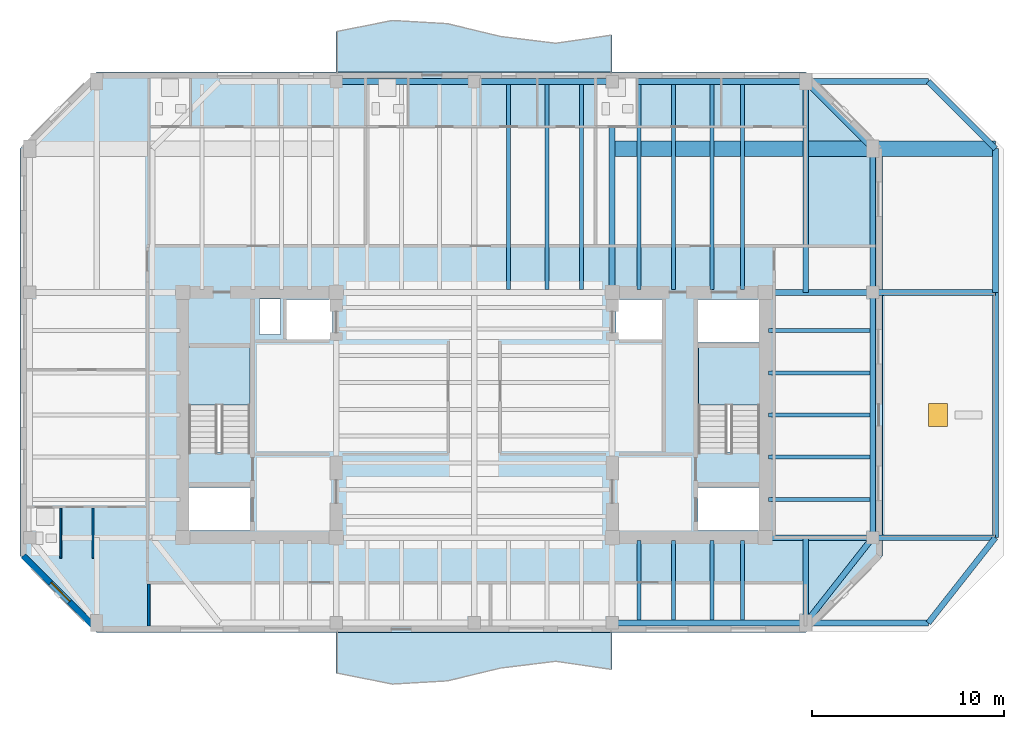
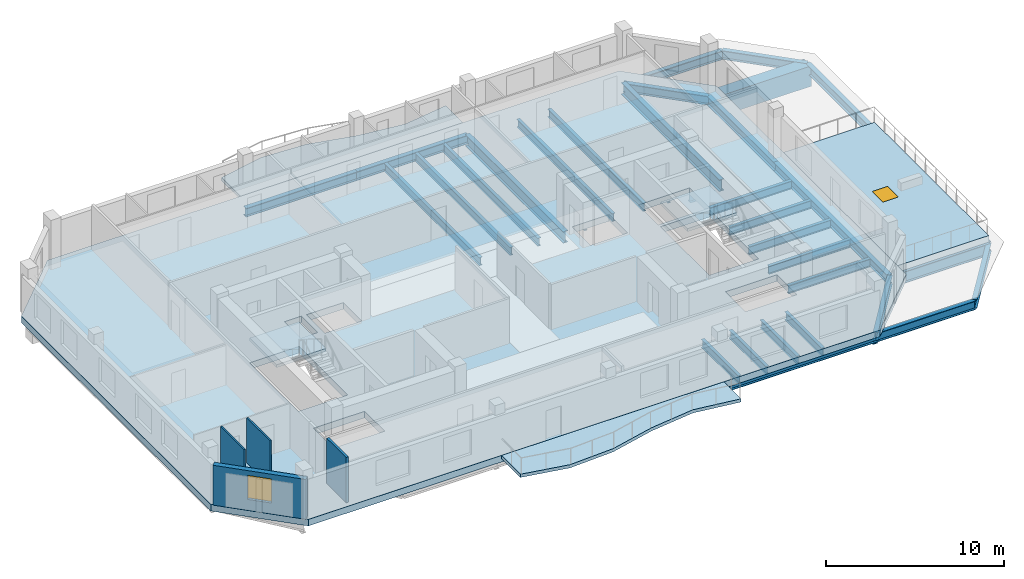
# One storey, part 2 of 10: 34 beams, 6 slabs, 4 walls, 1 door, 1 window, 2 openings, 2 elements without a shape of their own.
"""IFC4 building model written with IfcOpenShell, lengths in metres."""

from ifc_helpers import new_model, si_unit, direction, frame, frame_2d, origin, origin_2d, place, context, subcontext, project, spatial, polyline, rectangle, i_section, outline, extrude, material, layer, layer_set, material_profile, profile_set, type_object, element, fill, aggregate, save


model = new_model("IFC4")

# Units and contexts
model_context = context("Model", 3, precision=1e-05, world=origin(), true_north=direction((0.0, 1.0)))
body_context = subcontext(model_context, "Body", "Model", "MODEL_VIEW")
ifc_project = project(units=[si_unit("LENGTHUNIT", "METRE"), si_unit("AREAUNIT", "SQUARE_METRE"), si_unit("VOLUMEUNIT", "CUBIC_METRE"), si_unit("PLANEANGLEUNIT", "RADIAN"), si_unit("MASSUNIT", "GRAM", prefix="KILO")], contexts=[model_context])

# Site, building, storey
site_placement = place(None, origin())
site = spatial("IfcSite", under=ifc_project, at=site_placement, CompositionType="ELEMENT")
building_placement = place(site_placement, origin())
building = spatial("IfcBuilding", under=site, at=building_placement, Name="Kranthara Brick Stack", CompositionType="ELEMENT")
storey_placement = place(building_placement, frame((0.0, 0.0, 268.699951171875)))
storey = spatial("IfcBuildingStorey", under=building, at=storey_placement, Name="L71", CompositionType="ELEMENT", Elevation=268.699951171875)

# Beams
ifc_material_1 = material(Name="Steel S355", Category="steel")
ifc_material_profile_1 = material_profile(ifc_material_1, i_section(OverallWidth=0.2099609375, OverallDepth=0.550048828125, WebThickness=0.010986328125, FlangeThickness=0.01708984375, at=origin_2d()), Name="IPE 550")
ifc_profile_set_1 = profile_set([ifc_material_profile_1], Name="Steel S355")
beam_type_1 = type_object("IfcBeamType", Name="BM-JST-IPE550", PredefinedType="JOIST", material=ifc_profile_set_1)
for number, where, z_axis, x_axis, name in (
    (1, (29.800048828125, 33.75, -0.724853515625), (0.0, 1.0, 0.0), (-1.0, 0.0, 0.0), "L71 North Wing Floor Joist 080"),
    (2, (31.800048828125, 33.75, -0.724853515625), (0.0, 1.0, 0.0), (-1.0, 0.0, 0.0), "L71 North Wing Floor Joist 082"),
    (3, (33.60009765625, 33.75, -0.724853515625), (0.0, 1.0, 0.0), (-1.0, 0.0, 0.0), "L71 North Wing Floor Joist 084"),
):
    element("IfcBeam", number, at=place(storey_placement, frame(where, z_axis=z_axis, x_axis=x_axis)), inside=storey, type_object=beam_type_1, Name=name, PredefinedType="JOIST", context=body_context, shape_type="SweptSolid", body=[
        extrude(i_section(OverallWidth=0.2099609375, OverallDepth=0.550048828125, WebThickness=0.010986328125, FlangeThickness=0.01708984375, at=origin_2d()), origin(), (0.0, 0.0, 1.0), 10.699951171875),
    ])
beam_1_placement = place(storey_placement, frame((36.60009765625, 16.5, -0.724853515625), z_axis=(0.0, 1.0, 0.0), x_axis=(-1.0, 0.0, 0.0)))
element("IfcBeam", 4, at=beam_1_placement, inside=storey, type_object=beam_type_1, Name="L71 South Wing Floor Joist 085", PredefinedType="JOIST", context=body_context, shape_type="SweptSolid", body=[
    extrude(i_section(OverallWidth=0.2099609375, OverallDepth=0.550048828125, WebThickness=0.010986328125, FlangeThickness=0.01708984375, at=origin_2d()), origin(), (0.0, 0.0, 1.0), 4.14990234375),
])
beam_2_placement = place(storey_placement, frame((36.60009765625, 33.75, -0.724853515625), z_axis=(0.0, 1.0, 0.0), x_axis=(-1.0, 0.0, 0.0)))
element("IfcBeam", 5, at=beam_2_placement, inside=storey, type_object=beam_type_1, Name="L71 North Wing Floor Joist 086", PredefinedType="JOIST", context=body_context, shape_type="SweptSolid", body=[
    extrude(i_section(OverallWidth=0.2099609375, OverallDepth=0.550048828125, WebThickness=0.010986328125, FlangeThickness=0.01708984375, at=origin_2d()), origin(), (0.0, 0.0, 1.0), 10.699951171875),
])
beam_3_placement = place(storey_placement, frame((38.39990234375, 16.5, -0.724853515625), z_axis=(0.0, 1.0, 0.0), x_axis=(-1.0, 0.0, 0.0)))
element("IfcBeam", 6, at=beam_3_placement, inside=storey, type_object=beam_type_1, Name="L71 South Wing Floor Joist 087", PredefinedType="JOIST", context=body_context, shape_type="SweptSolid", body=[
    extrude(i_section(OverallWidth=0.2099609375, OverallDepth=0.550048828125, WebThickness=0.010986328125, FlangeThickness=0.01708984375, at=origin_2d()), origin(), (0.0, 0.0, 1.0), 4.14990234375),
])
beam_4_placement = place(storey_placement, frame((38.39990234375, 33.75, -0.724853515625), z_axis=(0.0, 1.0, 0.0), x_axis=(-1.0, 0.0, 0.0)))
element("IfcBeam", 7, at=beam_4_placement, inside=storey, type_object=beam_type_1, Name="L71 North Wing Floor Joist 088", PredefinedType="JOIST", context=body_context, shape_type="SweptSolid", body=[
    extrude(i_section(OverallWidth=0.2099609375, OverallDepth=0.550048828125, WebThickness=0.010986328125, FlangeThickness=0.01708984375, at=origin_2d()), origin(), (0.0, 0.0, 1.0), 10.699951171875),
])
beam_5_placement = place(storey_placement, frame((40.39990234375, 16.5, -0.724853515625), z_axis=(0.0, 1.0, 0.0), x_axis=(-1.0, 0.0, 0.0)))
element("IfcBeam", 8, at=beam_5_placement, inside=storey, type_object=beam_type_1, Name="L71 South Wing Floor Joist 089", PredefinedType="JOIST", context=body_context, shape_type="SweptSolid", body=[
    extrude(i_section(OverallWidth=0.2099609375, OverallDepth=0.550048828125, WebThickness=0.010986328125, FlangeThickness=0.01708984375, at=origin_2d()), origin(), (0.0, 0.0, 1.0), 4.14990234375),
])
beam_6_placement = place(storey_placement, frame((40.39990234375, 33.75, -0.724853515625), z_axis=(0.0, 1.0, 0.0), x_axis=(-1.0, 0.0, 0.0)))
element("IfcBeam", 9, at=beam_6_placement, inside=storey, type_object=beam_type_1, Name="L71 North Wing Floor Joist 090", PredefinedType="JOIST", context=body_context, shape_type="SweptSolid", body=[
    extrude(i_section(OverallWidth=0.2099609375, OverallDepth=0.550048828125, WebThickness=0.010986328125, FlangeThickness=0.01708984375, at=origin_2d()), origin(), (0.0, 0.0, 1.0), 10.699951171875),
])
beam_7_placement = place(storey_placement, frame((42.0, 16.5, -0.724853515625), z_axis=(0.0, 1.0, 0.0), x_axis=(-1.0, 0.0, 0.0)))
element("IfcBeam", 10, at=beam_7_placement, inside=storey, type_object=beam_type_1, Name="L71 South Wing Floor Joist 091", PredefinedType="JOIST", context=body_context, shape_type="SweptSolid", body=[
    extrude(i_section(OverallWidth=0.2099609375, OverallDepth=0.550048828125, WebThickness=0.010986328125, FlangeThickness=0.01708984375, at=origin_2d()), origin(), (0.0, 0.0, 1.0), 4.14990234375),
])
beam_8_placement = place(storey_placement, frame((42.0, 33.75, -0.724853515625), z_axis=(0.0, 1.0, 0.0), x_axis=(-1.0, 0.0, 0.0)))
element("IfcBeam", 11, at=beam_8_placement, inside=storey, type_object=beam_type_1, Name="L71 North Wing Floor Joist 092", PredefinedType="JOIST", context=body_context, shape_type="SweptSolid", body=[
    extrude(i_section(OverallWidth=0.2099609375, OverallDepth=0.550048828125, WebThickness=0.010986328125, FlangeThickness=0.01708984375, at=origin_2d()), origin(), (0.0, 0.0, 1.0), 10.699951171875),
])
for number, where, z_axis, x_axis, name in (
    (12, (43.35009765625, 22.800048828125, -0.724853515625), (1.0, 0.0, 0.0), (0.0, 1.0, 0.0), "L71 East Wing Floor Joist 094"),
    (13, (43.35009765625, 25.0, -0.724853515625), (1.0, 0.0, 0.0), (0.0, 1.0, 0.0), "L71 East Wing Floor Joist 096"),
    (14, (43.35009765625, 27.199951171875, -0.724853515625), (1.0, 0.0, 0.0), (0.0, 1.0, 0.0), "L71 East Wing Floor Joist 098"),
    (15, (43.35009765625, 29.39990234375, -0.724853515625), (1.0, 0.0, 0.0), (0.0, 1.0, 0.0), "L71 East Wing Floor Joist 100"),
    (16, (43.35009765625, 31.60009765625, -0.724853515625), (1.0, 0.0, 0.0), (0.0, 1.0, 0.0), "L71 East Wing Floor Joist 102"),
):
    element("IfcBeam", number, at=place(storey_placement, frame(where, z_axis=z_axis, x_axis=x_axis)), inside=storey, type_object=beam_type_1, Name=name, PredefinedType="JOIST", context=body_context, shape_type="SweptSolid", body=[
        extrude(i_section(OverallWidth=0.2099609375, OverallDepth=0.550048828125, WebThickness=0.010986328125, FlangeThickness=0.01708984375, at=origin_2d()), origin(), (0.0, 0.0, 1.0), 5.2998046875),
    ])
ifc_material_2 = material(Name="Steel S355", Category="steel")
ifc_material_profile_2 = material_profile(ifc_material_2, i_section(OverallWidth=0.300048828125, OverallDepth=0.60009765625, WebThickness=0.015380859375, FlangeThickness=0.030029296875, at=origin_2d()), Name="HEB 600")
ifc_profile_set_2 = profile_set([ifc_material_profile_2], Name="Steel S355")
beam_type_2 = type_object("IfcBeamType", Name="BM-STL-HEB600", PredefinedType="BEAM", material=ifc_profile_set_2)
beam_9_placement = place(storey_placement, frame((35.199951171875, 16.35009765625, -0.75), z_axis=(1.0, 0.0, 0.0), x_axis=(0.0, 1.0, 0.0)))
element("IfcBeam", 17, at=beam_9_placement, inside=storey, type_object=beam_type_2, Name="L71 Perimeter Spandrel Beam 008", PredefinedType="BEAM", context=body_context, shape_type="SweptSolid", body=[
    extrude(i_section(OverallWidth=0.300048828125, OverallDepth=0.60009765625, WebThickness=0.015380859375, FlangeThickness=0.030029296875, at=origin_2d()), origin(), (0.0, 0.0, 1.0), 16.5),
])
for number, where, z_axis, x_axis, name in (
    (18, (20.800048828125, 44.60009765625, -0.75), (1.0, 0.0, 0.0), (0.0, 1.0, 0.0), "L71 Perimeter Spandrel Beam 010"),
    (19, (28.0, 44.60009765625, -0.75), (1.0, 0.0, 0.0), (0.0, 1.0, 0.0), "L71 Perimeter Spandrel Beam 011"),
):
    element("IfcBeam", number, at=place(storey_placement, frame(where, z_axis=z_axis, x_axis=x_axis)), inside=storey, type_object=beam_type_2, Name=name, PredefinedType="BEAM", context=body_context, shape_type="SweptSolid", body=[
        extrude(i_section(OverallWidth=0.300048828125, OverallDepth=0.60009765625, WebThickness=0.015380859375, FlangeThickness=0.030029296875, at=origin_2d()), origin(), (0.0, 0.0, 1.0), 7.199951171875),
    ])
beam_10_placement = place(storey_placement, frame((35.199951171875, 44.60009765625, -0.75), z_axis=(1.0, 0.0, 0.0), x_axis=(0.0, 1.0, 0.0)))
element("IfcBeam", 20, at=beam_10_placement, inside=storey, type_object=beam_type_2, Name="L71 Perimeter Spandrel Beam 012", PredefinedType="BEAM", context=body_context, shape_type="SweptSolid", body=[
    extrude(i_section(OverallWidth=0.300048828125, OverallDepth=0.60009765625, WebThickness=0.015380859375, FlangeThickness=0.030029296875, at=origin_2d()), origin(), (0.0, 0.0, 1.0), 16.5),
])
beam_11_placement = place(storey_placement, frame((55.199951171875, 20.800048828125, -0.75), z_axis=(0.0, 1.0, 0.0), x_axis=(-1.0, 0.0, 0.0)))
element("IfcBeam", 21, at=beam_11_placement, inside=storey, type_object=beam_type_2, Name="L71 Perimeter Spandrel Beam 015", PredefinedType="BEAM", context=body_context, shape_type="SweptSolid", body=[
    extrude(i_section(OverallWidth=0.300048828125, OverallDepth=0.60009765625, WebThickness=0.015380859375, FlangeThickness=0.030029296875, at=origin_2d()), origin(), (0.0, 0.0, 1.0), 12.800048828125),
])
beam_12_placement = place(storey_placement, frame((55.199951171875, 33.60009765625, -0.75), z_axis=(0.0, 1.0, 0.0), x_axis=(-1.0, 0.0, 0.0)))
element("IfcBeam", 22, at=beam_12_placement, inside=storey, type_object=beam_type_2, Name="L71 Perimeter Spandrel Beam 016", PredefinedType="BEAM", context=body_context, shape_type="SweptSolid", body=[
    extrude(i_section(OverallWidth=0.300048828125, OverallDepth=0.60009765625, WebThickness=0.015380859375, FlangeThickness=0.030029296875, at=origin_2d()), origin(), (0.0, 0.0, 1.0), 7.5),
])
beam_13_placement = place(storey_placement, frame((51.699951171875, 16.35009765625, -0.75), z_axis=(0.618215705636, 0.78600848679, 0.0), x_axis=(-0.78600848679, 0.618215705636, 0.0)))
element("IfcBeam", 23, at=beam_13_placement, inside=storey, type_object=beam_type_2, Name="L71 Chamfer Corner Spandrel 018", PredefinedType="BEAM", context=body_context, shape_type="SweptSolid", body=[
    extrude(i_section(OverallWidth=0.300048828125, OverallDepth=0.60009765625, WebThickness=0.015380859375, FlangeThickness=0.030029296875, at=origin_2d()), origin(), (0.0, 0.0, 1.0), 5.661376953125),
])
beam_14_placement = place(storey_placement, frame((51.699951171875, 44.60009765625, -0.75), z_axis=(0.707106781187, -0.707106781187, 0.0), x_axis=(0.707106781187, 0.707106781187, 0.0)))
element("IfcBeam", 24, at=beam_14_placement, inside=storey, type_object=beam_type_2, Name="L71 Chamfer Corner Spandrel 020", PredefinedType="BEAM", context=body_context, shape_type="SweptSolid", body=[
    extrude(i_section(OverallWidth=0.300048828125, OverallDepth=0.60009765625, WebThickness=0.015380859375, FlangeThickness=0.030029296875, at=origin_2d()), origin(), (0.0, 0.0, 1.0), 4.94970703125),
])
beam_15_placement = place(storey_placement, frame((48.800048828125, 20.800048828125, -0.75), z_axis=(0.0, 1.0, 0.0), x_axis=(-1.0, 0.0, 0.0)))
element("IfcBeam", 25, at=beam_15_placement, inside=storey, type_object=beam_type_2, Name="L71 Perimeter Spandrel Beam 023", PredefinedType="BEAM", context=body_context, shape_type="SweptSolid", body=[
    extrude(i_section(OverallWidth=0.300048828125, OverallDepth=0.60009765625, WebThickness=0.015380859375, FlangeThickness=0.030029296875, at=origin_2d()), origin(), (0.0, 0.0, 1.0), 12.800048828125),
])
beam_16_placement = place(storey_placement, frame((48.800048828125, 33.60009765625, -0.75), z_axis=(0.0, 1.0, 0.0), x_axis=(-1.0, 0.0, 0.0)))
element("IfcBeam", 26, at=beam_16_placement, inside=storey, type_object=beam_type_2, Name="L71 Perimeter Spandrel Beam 024", PredefinedType="BEAM", context=body_context, shape_type="SweptSolid", body=[
    extrude(i_section(OverallWidth=0.300048828125, OverallDepth=0.60009765625, WebThickness=0.015380859375, FlangeThickness=0.030029296875, at=origin_2d()), origin(), (0.0, 0.0, 1.0), 7.5),
])
beam_17_placement = place(storey_placement, frame((45.300048828125, 16.35009765625, -0.75), z_axis=(0.618215705636, 0.78600848679, 0.0), x_axis=(-0.78600848679, 0.618215705636, 0.0)))
element("IfcBeam", 27, at=beam_17_placement, inside=storey, type_object=beam_type_2, Name="L71 Chamfer Corner Spandrel 026", PredefinedType="BEAM", context=body_context, shape_type="SweptSolid", body=[
    extrude(i_section(OverallWidth=0.300048828125, OverallDepth=0.60009765625, WebThickness=0.015380859375, FlangeThickness=0.030029296875, at=origin_2d()), origin(), (0.0, 0.0, 1.0), 5.661376953125),
])
beam_18_placement = place(storey_placement, frame((45.300048828125, 44.60009765625, -0.75), z_axis=(0.707106781187, -0.707106781187, 0.0), x_axis=(0.707106781187, 0.707106781187, 0.0)))
element("IfcBeam", 28, at=beam_18_placement, inside=storey, type_object=beam_type_2, Name="L71 Chamfer Corner Spandrel 028", PredefinedType="BEAM", context=body_context, shape_type="SweptSolid", body=[
    extrude(i_section(OverallWidth=0.300048828125, OverallDepth=0.60009765625, WebThickness=0.015380859375, FlangeThickness=0.030029296875, at=origin_2d()), origin(), (0.0, 0.0, 1.0), 4.94970703125),
])
ifc_material_3 = material(Name="Steel S355", Category="steel")
ifc_material_profile_3 = material_profile(ifc_material_3, i_section(OverallWidth=0.300048828125, OverallDepth=0.800048828125, WebThickness=0.017578125, FlangeThickness=0.032958984375, at=origin_2d()), Name="HEB 800")
ifc_profile_set_3 = profile_set([ifc_material_profile_3], Name="Steel S355")
beam_type_3 = type_object("IfcBeamType", Name="BM-TR-HEB800", PredefinedType="BEAM", material=ifc_profile_set_3)
beam_19_placement = place(storey_placement, frame((35.199951171875, 33.60009765625, -0.849853515625), z_axis=(0.0, 1.0, 0.0), x_axis=(-1.0, 0.0, 0.0)))
element("IfcBeam", 29, at=beam_19_placement, inside=storey, type_object=beam_type_3, Name="L71 Primary Grid Girder 035", PredefinedType="BEAM", context=body_context, shape_type="SweptSolid", body=[
    extrude(i_section(OverallWidth=0.300048828125, OverallDepth=0.800048828125, WebThickness=0.017578125, FlangeThickness=0.032958984375, at=origin_2d()), origin(), (0.0, 0.0, 1.0), 11.0),
])
for number, where, z_axis, x_axis, name in (
    (30, (43.199951171875, 20.800048828125, -0.849853515625), (1.0, 0.0, 0.0), (0.0, 1.0, 0.0), "L71 Primary Grid Girder 038"),
    (31, (43.199951171875, 33.60009765625, -0.849853515625), (1.0, 0.0, 0.0), (0.0, 1.0, 0.0), "L71 Primary Grid Girder 041"),
):
    element("IfcBeam", number, at=place(storey_placement, frame(where, z_axis=z_axis, x_axis=x_axis)), inside=storey, type_object=beam_type_3, Name=name, PredefinedType="BEAM", context=body_context, shape_type="SweptSolid", body=[
        extrude(i_section(OverallWidth=0.300048828125, OverallDepth=0.800048828125, WebThickness=0.017578125, FlangeThickness=0.032958984375, at=origin_2d()), origin(), (0.0, 0.0, 1.0), 12.0),
    ])
beam_20_placement = place(storey_placement, frame((45.300048828125, 16.35009765625, -0.849853515625), z_axis=(0.0, 1.0, 0.0), x_axis=(-1.0, 0.0, 0.0)))
element("IfcBeam", 32, at=beam_20_placement, inside=storey, type_object=beam_type_3, Name="L71 Transfer Tie Girder 044", PredefinedType="BEAM", context=body_context, shape_type="SweptSolid", body=[
    extrude(i_section(OverallWidth=0.300048828125, OverallDepth=0.800048828125, WebThickness=0.017578125, FlangeThickness=0.032958984375, at=origin_2d()), origin(), (0.0, 0.0, 1.0), 4.449951171875),
])
beam_21_placement = place(storey_placement, frame((45.300048828125, 44.60009765625, -0.849853515625), z_axis=(0.0, -1.0, 0.0), x_axis=(1.0, 0.0, 0.0)))
element("IfcBeam", 33, at=beam_21_placement, inside=storey, type_object=beam_type_3, Name="L71 Transfer Tie Girder 045", PredefinedType="BEAM", context=body_context, shape_type="SweptSolid", body=[
    extrude(i_section(OverallWidth=0.300048828125, OverallDepth=0.800048828125, WebThickness=0.017578125, FlangeThickness=0.032958984375, at=origin_2d()), origin(), (0.0, 0.0, 1.0), 11.0),
])
ifc_material_4 = material(Name="Post-tensioned concrete C50/60", Category="concrete")
ifc_material_profile_4 = material_profile(ifc_material_4, rectangle(XDim=0.800048828125, YDim=1.39990234375, at=origin_2d()), Name="PT 800x1400")
ifc_profile_set_4 = profile_set([ifc_material_profile_4], Name="Post-tensioned concrete C50/60")
beam_type_4 = type_object("IfcBeamType", Name="BM-TR-PT1400", PredefinedType="T_BEAM", material=ifc_profile_set_4)
beam_22_placement = place(storey_placement, frame((55.199951171875, 41.10009765625, -1.14990234375), z_axis=(-1.0, 0.0, 0.0), x_axis=(0.0, -1.0, 0.0)))
element("IfcBeam", 34, at=beam_22_placement, inside=storey, type_object=beam_type_4, Name="L71 Transfer Tie Girder 047", PredefinedType="T_BEAM", context=body_context, shape_type="SweptSolid", body=[
    extrude(rectangle(XDim=0.800048828125, YDim=1.39990234375, at=origin_2d()), origin(), (0.0, 0.0, 1.0), 20.0),
])

# Slabs
ifc_material_5 = material(Name="Concrete C45/55", Category="concrete")
ifc_layer_1 = layer(ifc_material_5, 0.219970703125)
ifc_layer_set_1 = layer_set([ifc_layer_1], Name="Concrete C45/55")
slab_type_1 = type_object("IfcSlabType", Name="SLB-BALC-220", PredefinedType="FLOOR", material=ifc_layer_set_1)
slab_1_placement = place(storey_placement, frame((0.0, 0.0, -0.219970703125)))
element("IfcSlab", 35, at=slab_1_placement, inside=storey, type_object=slab_type_1, Name="L71 South Rippling Balcony Slab", PredefinedType="FLOOR", context=body_context, shape_type="SweptSolid", body=[
    extrude(outline(polyline([(20.800048828125, 15.85009765625), (35.199951171875, 15.85009765625), (35.199951171875, 13.927978515625), (32.320068359375, 14.34912109375), (29.43994140625, 13.985595703125), (26.56005859375, 13.294189453125), (23.679931640625, 13.144775390625), (20.800048828125, 13.72509765625), (20.800048828125, 15.85009765625)])), origin(), (0.0, 0.0, 1.0), 0.219970703125),
])
slab_2_placement = place(storey_placement, frame((0.0, 0.0, -0.219970703125)))
element("IfcSlab", 36, at=slab_2_placement, inside=storey, type_object=slab_type_1, Name="L71 North Rippling Balcony Slab", PredefinedType="FLOOR", context=body_context, shape_type="SweptSolid", body=[
    extrude(outline(polyline([(35.199951171875, 45.10009765625), (20.800048828125, 45.10009765625), (20.800048828125, 47.22509765625), (23.679931640625, 47.805419921875), (26.56005859375, 47.65576171875), (29.43994140625, 46.964599609375), (32.320068359375, 46.600830078125), (35.199951171875, 47.02197265625), (35.199951171875, 45.10009765625)])), origin(), (0.0, 0.0, 1.0), 0.219970703125),
])

# Stair, slab
ifc_material_6 = material(Name="Concrete C45/55", Category="concrete")
stair_type = type_object("IfcStairType", Name="ST-CORE-20R", PredefinedType="HALF_TURN_STAIR", material=ifc_material_6)
stair_1_placement = place(storey_placement, origin())
stair_1 = element("IfcStair", 37, at=stair_1_placement, inside=storey, type_object=stair_type, Name="L71 West Core Protected Exit Stair ST01", PredefinedType="HALF_TURN_STAIR")
ifc_material_7 = material(Name="Concrete C45/55", Category="concrete")
ifc_layer_2 = layer(ifc_material_7, 0.199951171875)
ifc_layer_set_2 = layer_set([ifc_layer_2], Name="Concrete C45/55")
slab_type_2 = type_object("IfcSlabType", Name="SLB-LANDING-200", PredefinedType="LANDING", material=ifc_layer_set_2)
slab_3_placement = place(storey_placement, frame((0.0, 0.0, 1.5)))
slab_3 = element("IfcSlab", 38, at=slab_3_placement, type_object=slab_type_2, Name="ST01 landing 1", PredefinedType="LANDING", context=body_context, shape_type="SweptSolid", body=[
    extrude(outline(polyline([(16.300048828125, 27.719970703125), (16.300048828125, 30.75), (13.10009765625, 30.75), (13.10009765625, 27.719970703125), (16.300048828125, 27.719970703125)])), origin(), (0.0, 0.0, 1.0), 0.199951171875),
])
aggregate(stair_1, [slab_3])

stair_2_placement = place(storey_placement, origin())
stair_2 = element("IfcStair", 39, at=stair_2_placement, inside=storey, type_object=stair_type, Name="L71 East Core Protected Exit Stair ST02", PredefinedType="HALF_TURN_STAIR")
slab_4_placement = place(storey_placement, frame((0.0, 0.0, 1.5)))
slab_4 = element("IfcSlab", 40, at=slab_4_placement, type_object=slab_type_2, Name="ST02 landing 1", PredefinedType="LANDING", context=body_context, shape_type="SweptSolid", body=[
    extrude(outline(polyline([(42.89990234375, 27.719970703125), (42.89990234375, 30.75), (39.699951171875, 30.75), (39.699951171875, 27.719970703125), (42.89990234375, 27.719970703125)])), origin(), (0.0, 0.0, 1.0), 0.199951171875),
])
aggregate(stair_2, [slab_4])

# Slab, opening, door
ifc_material_8 = material(Name="Concrete C45/55", Category="concrete")
ifc_layer_3 = layer(ifc_material_8, 0.449951171875)
ifc_layer_set_3 = layer_set([ifc_layer_3], Name="Concrete C45/55")
slab_type_3 = type_object("IfcSlabType", Name="SLB-TERR-450", PredefinedType="ROOF", material=ifc_layer_set_3)
slab_5_placement = place(storey_placement, frame((0.0, 0.0, -0.449951171875)))
slab_5 = element("IfcSlab", 41, at=slab_5_placement, inside=storey, type_object=slab_type_3, Name="L71 East Planted Sky Garden", PredefinedType="ROOF", context=body_context, shape_type="SweptSolid", body=[
    extrude(outline(polyline([(49.300048828125, 20.800048828125), (55.199951171875, 20.800048828125), (55.199951171875, 33.60009765625), (49.300048828125, 33.60009765625), (49.300048828125, 20.800048828125)]), holes=[polyline([(51.699951171875, 26.60009765625), (52.699951171875, 26.60009765625), (52.699951171875, 27.800048828125), (51.699951171875, 27.800048828125), (51.699951171875, 26.60009765625)])]), origin(), (0.0, 0.0, 1.0), 0.449951171875),
])
opening_1_placement = place(slab_5_placement, frame((52.199951171875, 27.199951171875, 0.0)))
opening_1 = element("IfcOpeningElement", 42, at=opening_1_placement, cuts=slab_5, Name="Opening RH01", PredefinedType="OPENING", context=body_context, shape_type="SweptSolid", body=[
    extrude(rectangle(XDim=1.0, YDim=1.199951171875, at=origin_2d()), origin(), (0.0, 0.0, 1.0), 0.449951171875),
])
ifc_material_9 = material(Name="Powder-coated galvanized steel sheet", Category="steel")
door_type = type_object("IfcDoorType", Name="DR-HATCH-1000", OperationType="SINGLE_SWING_LEFT", PredefinedType="TRAPDOOR", material=ifc_material_9)
door_placement = place(opening_1_placement, frame((0.0, 0.0, 0.39990234375)))
door = element("IfcDoor", 43, at=door_placement, inside=storey, type_object=door_type, Name="L71 Terrace Roof Maintenance Access Hatch", OperationType="SINGLE_SWING_LEFT", OverallHeight=1.199951171875, OverallWidth=1.0, PredefinedType="TRAPDOOR", context=body_context, shape_type="SweptSolid", body=[
    extrude(rectangle(XDim=1.0, YDim=1.199951171875, at=origin_2d()), origin(), (0.0, 0.0, 1.0), 0.050048828125),
])
fill(opening_1, door)

# Slab
ifc_material_10 = material(Name="Post-tensioned concrete C50/60", Category="concrete")
ifc_layer_4 = layer(ifc_material_10, 0.449951171875)
ifc_layer_set_4 = layer_set([ifc_layer_4], Name="Post-tensioned concrete C50/60")
slab_type_4 = type_object("IfcSlabType", Name="SLB-TRANS-450", PredefinedType="FLOOR", material=ifc_layer_set_4)
slab_6_placement = place(storey_placement, frame((0.0, 0.0, -0.449951171875)))
element("IfcSlab", 44, at=slab_6_placement, inside=storey, type_object=slab_type_4, Name="L71 Structural Floor Plate", PredefinedType="FLOOR", context=body_context, shape_type="SweptSolid", body=[
    extrude(outline(polyline([(8.300048828125, 15.85009765625), (45.300048828125, 15.85009765625), (49.300048828125, 19.85009765625), (49.300048828125, 41.10009765625), (45.300048828125, 45.10009765625), (8.300048828125, 45.10009765625), (4.300048828125, 41.10009765625), (4.300048828125, 19.85009765625), (8.300048828125, 15.85009765625)]), holes=[polyline([(13.10009765625, 25.280029296875), (16.300048828125, 25.280029296875), (16.300048828125, 30.75), (13.10009765625, 30.75), (13.10009765625, 25.280029296875)]), polyline([(39.699951171875, 25.280029296875), (42.89990234375, 25.280029296875), (42.89990234375, 30.75), (39.699951171875, 30.75), (39.699951171875, 25.280029296875)]), polyline([(13.0, 21.179931640625), (16.320068359375, 21.179931640625), (16.320068359375, 23.419921875), (13.0, 23.419921875), (13.0, 21.179931640625)]), polyline([(39.679931640625, 21.179931640625), (43.0, 21.179931640625), (43.0, 23.419921875), (39.679931640625, 23.419921875), (39.679931640625, 21.179931640625)]), polyline([(39.679931640625, 30.97998046875), (43.0, 30.97998046875), (43.0, 33.219970703125), (39.679931640625, 33.219970703125), (39.679931640625, 30.97998046875)]), polyline([(18.199951171875, 31.14990234375), (20.60009765625, 31.14990234375), (20.60009765625, 33.219970703125), (18.199951171875, 33.219970703125), (18.199951171875, 31.14990234375)]), polyline([(35.39990234375, 31.14990234375), (37.800048828125, 31.14990234375), (37.800048828125, 33.219970703125), (35.39990234375, 33.219970703125), (35.39990234375, 31.14990234375)]), polyline([(16.800048828125, 31.39990234375), (17.89990234375, 31.39990234375), (17.89990234375, 33.25), (16.800048828125, 33.25), (16.800048828125, 31.39990234375)])]), origin(), (0.0, 0.0, 1.0), 0.449951171875),
])

# Wall, opening, window
ifc_material_11 = material(Name="Warm buff clay brick masonry M15", Category="masonry")
ifc_layer_5 = layer(ifc_material_11, 0.320068359375)
ifc_layer_set_5 = layer_set([ifc_layer_5], Name="Warm buff clay brick masonry M15")
wall_type_1 = type_object("IfcWallType", Name="WL-BRK-UPPR-320", PredefinedType="STANDARD", material=ifc_layer_set_5)
wall_1_placement = place(storey_placement, frame((8.300048828125, 16.030029296875, 0.0), z_axis=(0.0, 0.0, 1.0), x_axis=(-0.707106781187, 0.707106781187, 0.0)))
wall_1 = element("IfcWall", 45, at=wall_1_placement, inside=storey, type_object=wall_type_1, Name="L71 Exterior Brick Facade Wall SW 1", PredefinedType="STANDARD", context=body_context, shape_type="SweptSolid", body=[
    extrude(rectangle(XDim=5.40234375, YDim=0.320068359375, at=frame_2d((2.701171875, 0.0))), origin(), (0.0, 0.0, 1.0), 2.72509765625),
])
opening_2_placement = place(wall_1_placement, frame((2.0009765625, 0.0, 0.75)))
opening_2 = element("IfcOpeningElement", 46, at=opening_2_placement, cuts=wall_1, Name="Opening WN10", PredefinedType="OPENING", context=body_context, shape_type="SweptSolid", body=[
    extrude(rectangle(XDim=1.39990234375, YDim=1.64990234375, at=frame_2d((0.699951171875, 0.824951171875))), frame((0.0, 0.169921875, 0.0), z_axis=(0.0, -1.0, 0.0), x_axis=(1.0, 0.0, 0.0)), (0.0, 0.0, 1.0), 0.340087890625),
])
ifc_material_12 = material(Name="Double-glazed low-E solar control glass", Category="glass")
window_type = type_object("IfcWindowType", Name="WN-CHM-1400x1750", PartitioningType="SINGLE_PANEL", PredefinedType="WINDOW", material=ifc_material_12)
window_placement = place(opening_2_placement, origin())
window = element("IfcWindow", 47, at=window_placement, inside=storey, type_object=window_type, Name="L71 SW Chamfer Corner Window", OverallHeight=1.64990234375, OverallWidth=1.39990234375, PartitioningType="SINGLE_PANEL", PredefinedType="WINDOW", context=body_context, shape_type="SweptSolid", body=[
    extrude(rectangle(XDim=1.39990234375, YDim=1.64990234375, at=frame_2d((0.699951171875, 0.824951171875))), frame((0.0, -0.010009765625, 0.0), z_axis=(0.0, -1.0, 0.0), x_axis=(1.0, 0.0, 0.0)), (0.0, 0.0, 1.0), 0.06005859375),
])
fill(opening_2, window)

# Walls
ifc_material_13 = material(Name="Moisture-resistant wet-room partition", Category="other")
ifc_layer_6 = layer(ifc_material_13, 0.10009765625)
ifc_layer_set_6 = layer_set([ifc_layer_6], Name="Moisture-resistant wet-room partition")
wall_type_2 = type_object("IfcWallType", Name="WL-PART-100", PredefinedType="PARTITIONING", material=ifc_layer_set_6)
for number, where, z_axis, x_axis, name in (
    (48, (6.425048828125, 19.72998046875, 0.0), (0.0, 0.0, 1.0), (0.0, 1.0, 0.0), "L71 Interior Partition 031"),
    (49, (8.110107421875, 19.72998046875, 0.0), (0.0, 0.0, 1.0), (0.0, 1.0, 0.0), "L71 Interior Partition 032"),
):
    element("IfcWall", number, at=place(storey_placement, frame(where, z_axis=z_axis, x_axis=x_axis)), inside=storey, type_object=wall_type_2, Name=name, PredefinedType="PARTITIONING", context=body_context, shape_type="SweptSolid", body=[
        extrude(rectangle(XDim=2.614990234375, YDim=0.10009765625, at=frame_2d((1.3076171875, 0.0))), origin(), (0.0, 0.0, 1.0), 3.10009765625),
    ])
ifc_material_14 = material(Name="Fire-rated gypsum board partition", Category="other")
ifc_layer_7 = layer(ifc_material_14, 0.14990234375)
ifc_layer_set_7 = layer_set([ifc_layer_7], Name="Fire-rated gypsum board partition")
wall_type_3 = type_object("IfcWallType", Name="WL-PART-150", PredefinedType="PARTITIONING", material=ifc_layer_set_7)
wall_2_placement = place(storey_placement, frame((11.02001953125, 16.195068359375, 0.0), z_axis=(0.0, 0.0, 1.0), x_axis=(0.0, 1.0, 0.0)))
element("IfcWall", 50, at=wall_2_placement, inside=storey, type_object=wall_type_3, Name="L71 Interior Partition 006", PredefinedType="PARTITIONING", context=body_context, shape_type="SweptSolid", body=[
    extrude(rectangle(XDim=2.184814453125, YDim=0.14990234375, at=frame_2d((1.09228515625, 0.0))), origin(), (0.0, 0.0, 1.0), 3.10009765625),
])

save(model, "model.ifc")
